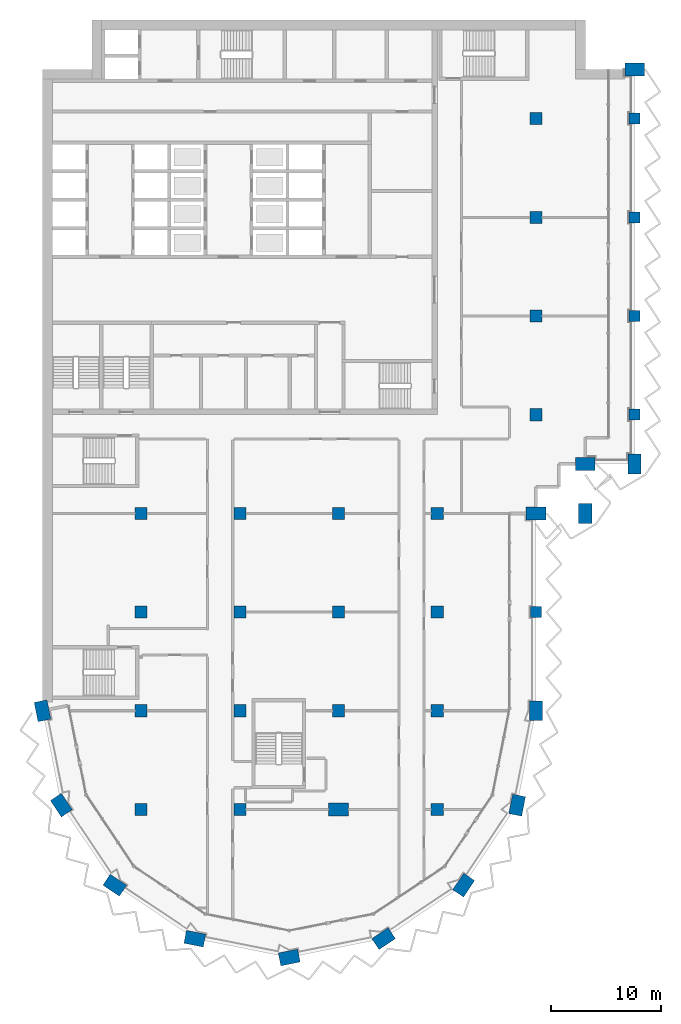
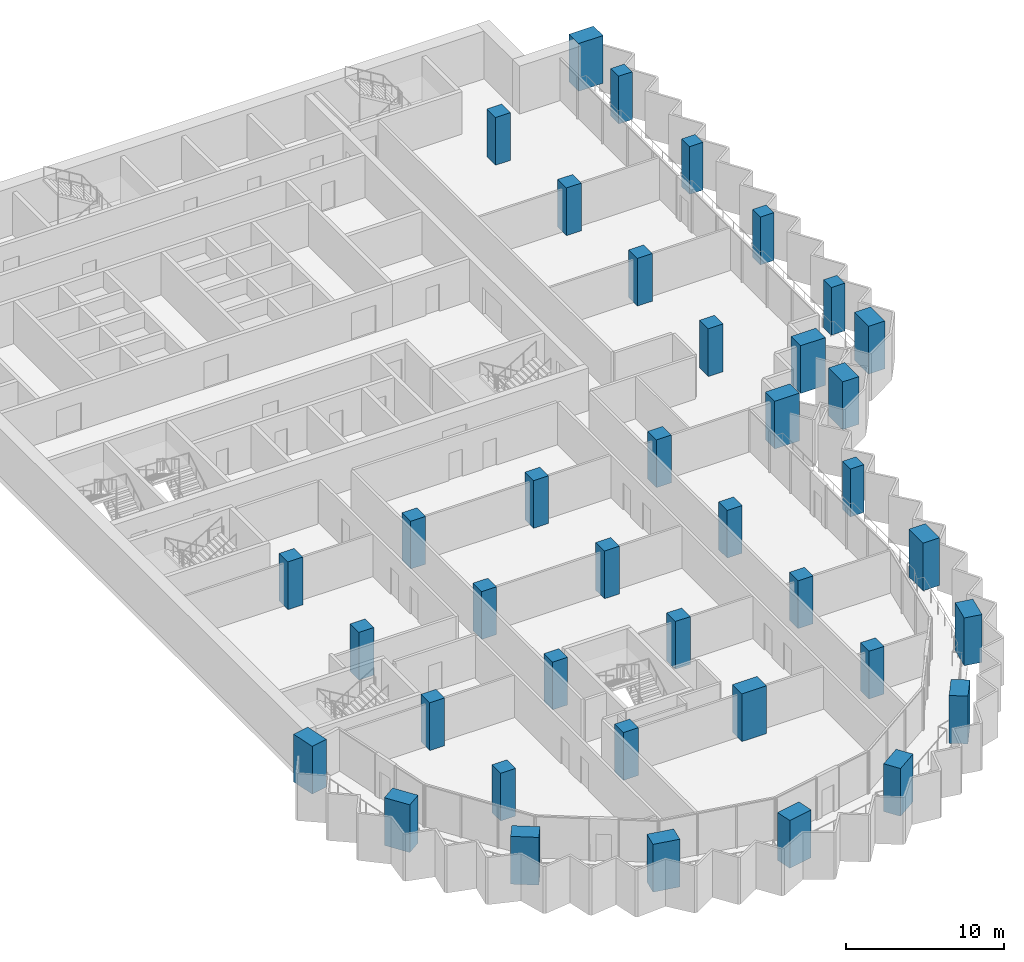
# One storey, part 1 of 18: 39 columns.
"""IFC4 building model written with IfcOpenShell, lengths in metres."""

from ifc_helpers import new_model, si_unit, direction, frame, origin, origin_2d, place, context, subcontext, project, spatial, rectangle, extrude, material, material_profile, profile_set, type_object, element, save


model = new_model("IFC4")

# Units and contexts
model_context = context("Model", 3, precision=1e-05, world=origin(), true_north=direction((0.0, 1.0)))
body_context = subcontext(model_context, "Body", "Model", "MODEL_VIEW")
ifc_project = project(units=[si_unit("LENGTHUNIT", "METRE"), si_unit("AREAUNIT", "SQUARE_METRE"), si_unit("VOLUMEUNIT", "CUBIC_METRE"), si_unit("PLANEANGLEUNIT", "RADIAN"), si_unit("MASSUNIT", "GRAM", prefix="KILO")], contexts=[model_context])

# Site, building, storey
site_placement = place(None, origin())
site = spatial("IfcSite", under=ifc_project, at=site_placement, CompositionType="ELEMENT")
building_placement = place(site_placement, origin())
building = spatial("IfcBuilding", under=site, at=building_placement, Name="Hunhe Ridgeline Campus", CompositionType="ELEMENT")
storey_placement = place(building_placement, frame((0.0, 0.0, 182.800048828125)))
storey = spatial("IfcBuildingStorey", under=building, at=storey_placement, Name="L46", CompositionType="ELEMENT", Elevation=182.800048828125)

# Columns
ifc_material = material(Name="Concrete C60", Category="concrete")
ifc_material_profile_1 = material_profile(ifc_material, rectangle(XDim=1.800048828125, YDim=1.199951171875, at=origin_2d()))
ifc_profile_set_1 = profile_set([ifc_material_profile_1], Name="Concrete C60")
column_type_1 = type_object("IfcColumnType", Name="Megacolumn 1800x1200 Concrete C60", PredefinedType="COLUMN", material=ifc_profile_set_1)
for number, where, z_axis, x_axis, name in (
    (1, (22.5, 13.5, 0.0), (0.0, 0.0, 1.0), (0.980785280403, 0.195090322016, 0.0), "Column C11 R6 L46"),
    (2, (13.8896484375, 15.212646484375, 0.0), (0.0, 0.0, 1.0), (-0.980785280403, 0.195090322016, 0.0), "Column C11 R7 L46"),
    (3, (31.1103515625, 15.212646484375, 0.0), (0.0, 0.0, 1.0), (0.831469612303, 0.55557023302, 0.0), "Column C11 R8 L46"),
    (4, (6.590087890625, 20.090087890625, 0.0), (0.0, 0.0, 1.0), (-0.831469612303, 0.55557023302, 0.0), "Column C11 R11 L46"),
    (5, (38.409912109375, 20.090087890625, 0.0), (0.0, 0.0, 1.0), (0.55557023302, 0.831469612303, 0.0), "Column C11 R12 L46"),
    (6, (1.712646484375, 27.3896484375, 0.0), (0.0, 0.0, 1.0), (-0.55557023302, 0.831469612303, 0.0), "Column C11 R16 L46"),
    (7, (43.287353515625, 27.3896484375, 0.0), (0.0, 0.0, 1.0), (0.195090322016, 0.980785280403, 0.0), "Column C11 R17 L46"),
    (8, (0.0, 36.0, 0.0), (0.0, 0.0, 1.0), (-0.195090322016, 0.980785280403, 0.0), "Column C11 E1 L46"),
    (9, (45.0, 36.0, 0.0), (0.0, 0.0, 1.0), (0.0, 1.0, 0.0), "Column C11 E6 L46"),
    (10, (45.0, 54.0, 0.0), (0.0, 0.0, 1.0), (1.0, 0.0, 0.0), "Column C11 G6 L46"),
    (11, (49.5, 54.0, 0.0), (0.0, 0.0, 1.0), (0.0, 1.0, 0.0), "Column C11 R29 L46"),
    (12, (49.5, 58.5, 0.0), (0.0, 0.0, 1.0), (1.0, 0.0, 0.0), "Column C11 R33 L46"),
    (13, (54.0, 58.5, 0.0), (0.0, 0.0, 1.0), (0.0, 1.0, 0.0), "Column C11 R34 L46"),
    (14, (54.0, 94.5, 0.0), (0.0, 0.0, 1.0), (1.0, 0.0, 0.0), "Column C11 R41 L46"),
    (15, (27.0, 27.0, 0.0), (0.0, 0.0, 1.0), (1.0, 0.0, 0.0), "Column C11 D4 L46"),
):
    element("IfcColumn", number, at=place(storey_placement, frame(where, z_axis=z_axis, x_axis=x_axis)), inside=storey, type_object=column_type_1, Name=name, PredefinedType="COLUMN", context=body_context, shape_type="SweptSolid", body=[
        extrude(rectangle(XDim=1.800048828125, YDim=1.199951171875, at=origin_2d()), origin(), (0.0, 0.0, 1.0), 3.699951171875),
    ])
ifc_material_profile_2 = material_profile(ifc_material, rectangle(XDim=1.0, YDim=1.0, at=origin_2d()))
ifc_profile_set_2 = profile_set([ifc_material_profile_2], Name="Concrete C60")
column_type_2 = type_object("IfcColumnType", Name="RC column 1000x1000 Concrete C60", PredefinedType="COLUMN", material=ifc_profile_set_2)
for number, where, z_axis, x_axis, name in (
    (16, (45.0, 45.0, 0.0), (0.0, 0.0, 1.0), (1.0, 0.0, 0.0), "Column C12 F6 L46"),
    (17, (54.0, 63.0, 0.0), (0.0, 0.0, 1.0), (1.0, 0.0, 0.0), "Column C12 H7 L46"),
    (18, (54.0, 72.0, 0.0), (0.0, 0.0, 1.0), (1.0, 0.0, 0.0), "Column C12 I7 L46"),
    (19, (54.0, 81.0, 0.0), (0.0, 0.0, 1.0), (1.0, 0.0, 0.0), "Column C12 J7 L46"),
    (20, (54.0, 90.0, 0.0), (0.0, 0.0, 1.0), (1.0, 0.0, 0.0), "Column C12 K7 L46"),
):
    element("IfcColumn", number, at=place(storey_placement, frame(where, z_axis=z_axis, x_axis=x_axis)), inside=storey, type_object=column_type_2, Name=name, PredefinedType="COLUMN", context=body_context, shape_type="SweptSolid", body=[
        extrude(rectangle(XDim=1.0, YDim=1.0, at=origin_2d()), origin(), (0.0, 0.0, 1.0), 3.699951171875),
    ])
ifc_material_profile_3 = material_profile(ifc_material, rectangle(XDim=1.10009765625, YDim=1.10009765625, at=origin_2d()))
ifc_profile_set_3 = profile_set([ifc_material_profile_3], Name="Concrete C60")
column_type_3 = type_object("IfcColumnType", Name="RC column 1100x1100 Concrete C60", PredefinedType="COLUMN", material=ifc_profile_set_3)
for number, where, z_axis, x_axis, name in (
    (21, (9.0, 27.0, 0.0), (0.0, 0.0, 1.0), (1.0, 0.0, 0.0), "Column C13 D2 L46"),
    (22, (9.0, 36.0, 0.0), (0.0, 0.0, 1.0), (1.0, 0.0, 0.0), "Column C13 E2 L46"),
    (23, (9.0, 45.0, 0.0), (0.0, 0.0, 1.0), (1.0, 0.0, 0.0), "Column C13 F2 L46"),
    (24, (9.0, 54.0, 0.0), (0.0, 0.0, 1.0), (1.0, 0.0, 0.0), "Column C13 G2 L46"),
    (25, (18.0, 27.0, 0.0), (0.0, 0.0, 1.0), (1.0, 0.0, 0.0), "Column C13 D3 L46"),
    (26, (18.0, 36.0, 0.0), (0.0, 0.0, 1.0), (1.0, 0.0, 0.0), "Column C13 E3 L46"),
    (27, (18.0, 45.0, 0.0), (0.0, 0.0, 1.0), (1.0, 0.0, 0.0), "Column C13 F3 L46"),
    (28, (18.0, 54.0, 0.0), (0.0, 0.0, 1.0), (1.0, 0.0, 0.0), "Column C13 G3 L46"),
    (29, (27.0, 36.0, 0.0), (0.0, 0.0, 1.0), (1.0, 0.0, 0.0), "Column C13 E4 L46"),
    (30, (27.0, 45.0, 0.0), (0.0, 0.0, 1.0), (1.0, 0.0, 0.0), "Column C13 F4 L46"),
    (31, (27.0, 54.0, 0.0), (0.0, 0.0, 1.0), (1.0, 0.0, 0.0), "Column C13 G4 L46"),
    (32, (36.0, 27.0, 0.0), (0.0, 0.0, 1.0), (1.0, 0.0, 0.0), "Column C13 D5 L46"),
    (33, (36.0, 36.0, 0.0), (0.0, 0.0, 1.0), (1.0, 0.0, 0.0), "Column C13 E5 L46"),
    (34, (36.0, 45.0, 0.0), (0.0, 0.0, 1.0), (1.0, 0.0, 0.0), "Column C13 F5 L46"),
    (35, (36.0, 54.0, 0.0), (0.0, 0.0, 1.0), (1.0, 0.0, 0.0), "Column C13 G5 L46"),
    (36, (45.0, 63.0, 0.0), (0.0, 0.0, 1.0), (1.0, 0.0, 0.0), "Column C13 H6 L46"),
    (37, (45.0, 72.0, 0.0), (0.0, 0.0, 1.0), (1.0, 0.0, 0.0), "Column C13 I6 L46"),
    (38, (45.0, 81.0, 0.0), (0.0, 0.0, 1.0), (1.0, 0.0, 0.0), "Column C13 J6 L46"),
    (39, (45.0, 90.0, 0.0), (0.0, 0.0, 1.0), (1.0, 0.0, 0.0), "Column C13 K6 L46"),
):
    element("IfcColumn", number, at=place(storey_placement, frame(where, z_axis=z_axis, x_axis=x_axis)), inside=storey, type_object=column_type_3, Name=name, PredefinedType="COLUMN", context=body_context, shape_type="SweptSolid", body=[
        extrude(rectangle(XDim=1.10009765625, YDim=1.10009765625, at=origin_2d()), origin(), (0.0, 0.0, 1.0), 3.699951171875),
    ])

save(model, "model.ifc")
